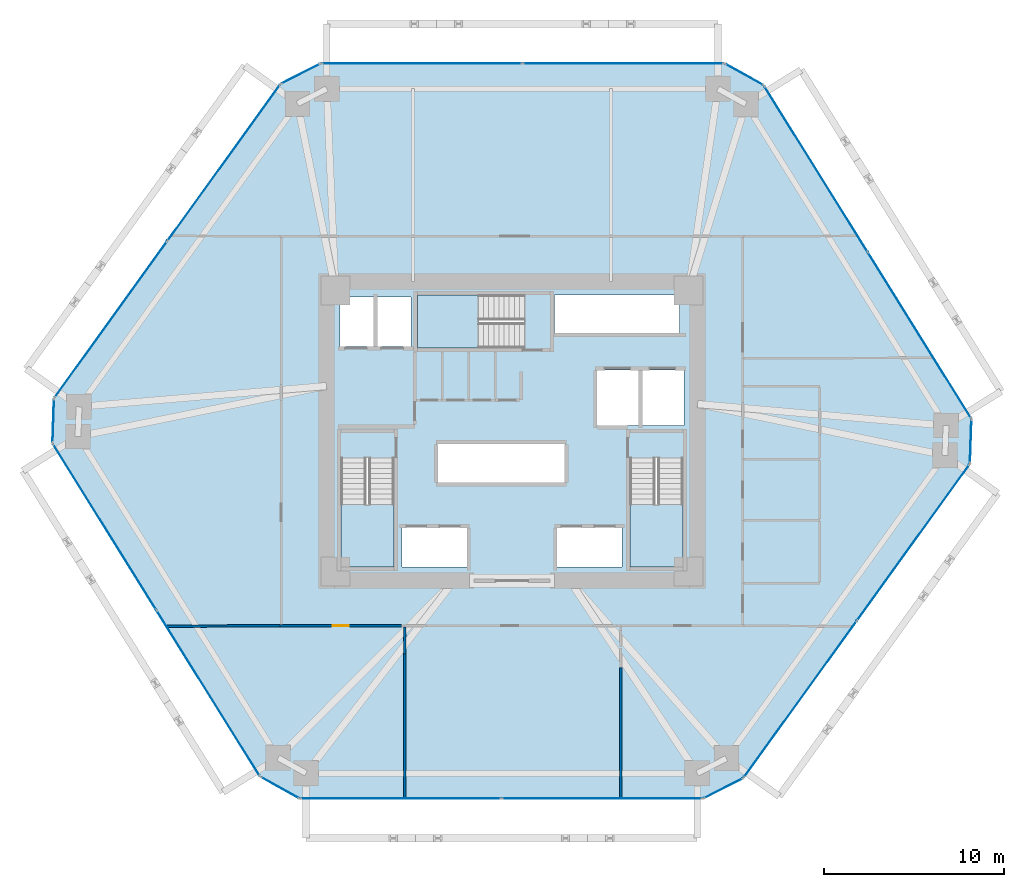
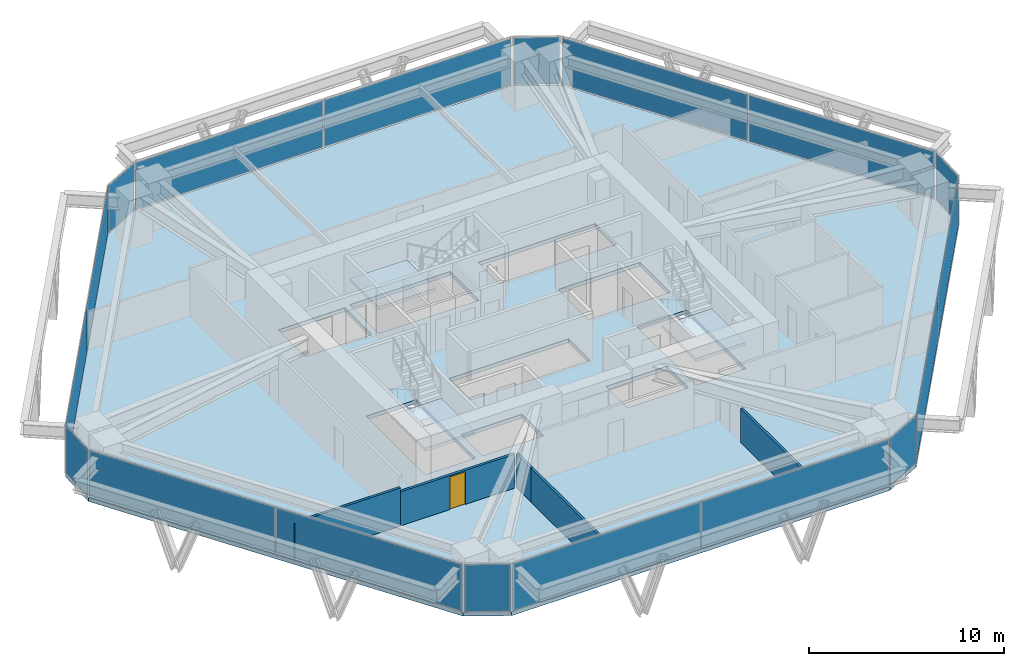
# One storey, part 10 of 14: 18 plates, 5 walls, 4 slabs, 1 door, 1 opening, 15 elements without a shape of their own.
"""IFC4 building model written with IfcOpenShell, lengths in metres."""

import ifcopenshell
import ifcopenshell.guid

model = None  # the IFC model being written
_history = None  # IfcOwnerHistory: only IFC2X3 demands one
_inside = {}  # id of a spatial element -> (the spatial element, [elements in it])
_under = {}  # id of a project, library or spatial element -> (it, [spatial elements below it])
_declared = {}  # id of a project -> (the project, [libraries it declares])
_typed = {}  # id of a type object -> (the type object, [elements of that type])
_made_of = {}  # id of a material, layer set ... -> (it, [elements and type objects made of it])


def new_model(schema):
    """Start an empty IFC model of exactly this schema.

    Asked for "IFC4X3", IfcOpenShell would pick the latest addendum, in which some entities
    have other attributes; the version numbers below select the first issue.
    IFC2X3 requires an IfcOwnerHistory on every rooted entity: one is made here for all.
    """
    global model, _history
    if schema == "IFC4X3":
        model = ifcopenshell.file(schema_version=(4, 3, 0, 0))
    else:
        model = ifcopenshell.file(schema=schema)
    _inside.clear()
    _under.clear()
    _declared.clear()
    _typed.clear()
    _made_of.clear()
    _history = None
    if model.schema == "IFC2X3":
        org = make("IfcOrganization", Name="unknown")
        user = make(
            "IfcPersonAndOrganization",
            ThePerson=make("IfcPerson", FamilyName="unknown"),
            TheOrganization=org,
        )
        app = make(
            "IfcApplication",
            ApplicationDeveloper=org,
            Version="unknown",
            ApplicationFullName="unknown",
            ApplicationIdentifier="unknown",
        )
        _history = make(
            "IfcOwnerHistory",
            OwningUser=user,
            OwningApplication=app,
            ChangeAction="ADDED",
            CreationDate=0,
        )
    return model


def make(cls, **values):
    """One entity of the class cls with the attributes given. An attribute that is None is left unset."""
    return model.create_entity(
        cls, **{name: value for name, value in values.items() if value is not None}
    )


def rooted(cls, **values):
    """An entity with a GlobalId (a new one), such as an element, a storey or a relation."""
    return make(cls, GlobalId=ifcopenshell.guid.new(), OwnerHistory=_history, **values)


def si_unit(unit_type, name, prefix=None):
    """IfcSIUnit, for example si_unit("LENGTHUNIT", "METRE", prefix="MILLI")."""
    return make("IfcSIUnit", UnitType=unit_type, Prefix=prefix, Name=name)


def assignment(units):
    """IfcUnitAssignment: the units of a project."""
    return None if units is None else make("IfcUnitAssignment", Units=units)


def point(xyz):
    """IfcCartesianPoint."""
    return None if xyz is None else make("IfcCartesianPoint", Coordinates=xyz)


def direction(xyz):
    """IfcDirection."""
    return None if xyz is None else make("IfcDirection", DirectionRatios=xyz)


def frame(location, z_axis=None, x_axis=None):
    """IfcAxis2Placement3D, a coordinate frame: its origin and axes. An axis left out is left unset."""
    return make(
        "IfcAxis2Placement3D",
        Location=point(location),
        Axis=direction(z_axis),
        RefDirection=direction(x_axis),
    )


def frame_2d(location, x_axis=None):
    """IfcAxis2Placement2D, a coordinate frame in the plane: its origin and x axis."""
    return make(
        "IfcAxis2Placement2D", Location=point(location), RefDirection=direction(x_axis)
    )


def origin():
    """The frame at (0, 0, 0) with its axes left unset."""
    return frame((0.0, 0.0, 0.0))


def origin_2d():
    """The frame at (0, 0) in the plane with its x axis left unset."""
    return frame_2d((0.0, 0.0))


def place(relative_to, where):
    """IfcLocalPlacement: puts the frame where relative to a parent placement (None: the world)."""
    return make(
        "IfcLocalPlacement", PlacementRelTo=relative_to, RelativePlacement=where
    )


def context(
    kind, dimensions, precision=None, world=None, true_north=None, identifier=None
):
    """IfcGeometricRepresentationContext, for example the 3D "Model" context."""
    return make(
        "IfcGeometricRepresentationContext",
        ContextIdentifier=identifier,
        ContextType=kind,
        CoordinateSpaceDimension=dimensions,
        Precision=precision,
        WorldCoordinateSystem=world,
        TrueNorth=true_north,
    )


def subcontext(parent, identifier, kind, view, scale=None):
    """IfcGeometricRepresentationSubContext, for example "Body" below "Model"."""
    return make(
        "IfcGeometricRepresentationSubContext",
        ContextIdentifier=identifier,
        ContextType=kind,
        ParentContext=parent,
        TargetScale=scale,
        TargetView=view,
    )


def project(units=None, contexts=None):
    """IfcProject with its units and contexts."""
    return rooted(
        "IfcProject",
        Name="project",
        RepresentationContexts=contexts,
        UnitsInContext=assignment(units),
    )


def spatial(cls, under=None, at=None, **own):
    """A site, building, storey or space (cls), placed at a placement, below another one or the project."""
    s = rooted(cls, ObjectPlacement=at, **own)
    if under is not None:
        _under.setdefault(under.id(), (under, []))[1].append(s)
    return s


def polyline(points):
    """IfcPolyline through the points."""
    return make("IfcPolyline", Points=[point(p) for p in points])


def profile(cls, at=None, kind="AREA", **sizes):
    """A parametric profile (cls). Its sizes go by their IFC names, for example OverallWidth=200.0."""
    return make(cls, ProfileType=kind, Position=at, **sizes)


def rectangle(**sizes):
    """IfcRectangleProfileDef."""
    return profile("IfcRectangleProfileDef", **sizes)


def outline(outer, holes=None, kind="AREA"):
    """IfcArbitraryClosedProfileDef: a profile drawn as a closed curve; with holes, ...WithVoids."""
    if holes is None:
        return make("IfcArbitraryClosedProfileDef", ProfileType=kind, OuterCurve=outer)
    return make(
        "IfcArbitraryProfileDefWithVoids",
        ProfileType=kind,
        OuterCurve=outer,
        InnerCurves=holes,
    )


def extrude(swept, where, along, depth):
    """IfcExtrudedAreaSolid: the profile swept, set in the frame where, extruded along a direction by depth."""
    return make(
        "IfcExtrudedAreaSolid",
        SweptArea=swept,
        Position=where,
        ExtrudedDirection=direction(along),
        Depth=depth,
    )


def shape(context_of_items, identifier, shape_type, items):
    """IfcShapeRepresentation: the items that make up one representation, for example the "Body"."""
    return make(
        "IfcShapeRepresentation",
        ContextOfItems=context_of_items,
        RepresentationIdentifier=identifier,
        RepresentationType=shape_type,
        Items=items,
    )


def source(mapping_origin, context_of_items, identifier, shape_type, items):
    """IfcRepresentationMap: a shape defined once, which mapped items show again and again."""
    return make(
        "IfcRepresentationMap",
        MappingOrigin=mapping_origin,
        MappedRepresentation=shape(context_of_items, identifier, shape_type, items),
    )


def transform(
    local_origin,
    x_axis=None,
    y_axis=None,
    z_axis=None,
    scale=None,
    scale2=None,
    scale3=None,
    uniform=True,
):
    """IfcCartesianTransformationOperator3D, or its non-uniform kind. x_axis, y_axis, z_axis: its Axis1, 2, 3."""
    if uniform:
        return make(
            "IfcCartesianTransformationOperator3D",
            Axis1=direction(x_axis),
            Axis2=direction(y_axis),
            LocalOrigin=point(local_origin),
            Scale=scale,
            Axis3=direction(z_axis),
        )
    return make(
        "IfcCartesianTransformationOperator3DnonUniform",
        Axis1=direction(x_axis),
        Axis2=direction(y_axis),
        LocalOrigin=point(local_origin),
        Scale=scale,
        Axis3=direction(z_axis),
        Scale2=scale2,
        Scale3=scale3,
    )


def mapped(mapping_source, mapping_target):
    """IfcMappedItem: shows the shape of a source again, moved by a transform."""
    return make(
        "IfcMappedItem", MappingSource=mapping_source, MappingTarget=mapping_target
    )


def material(Name=None, Category=None):
    """IfcMaterial."""
    return make("IfcMaterial", Name=Name, Category=Category)


def layer(
    of_material, thickness, ventilated=None, Name=None, Category=None, Priority=None
):
    """IfcMaterialLayer: one layer of a wall or slab, of a material (None: an air gap)."""
    return make(
        "IfcMaterialLayer",
        Material=of_material,
        LayerThickness=thickness,
        IsVentilated=ventilated,
        Name=Name,
        Category=Category,
        Priority=Priority,
    )


def layer_set(layers, Name=None):
    """IfcMaterialLayerSet."""
    return make("IfcMaterialLayerSet", MaterialLayers=layers, LayerSetName=Name)


def made_of(thing, what):
    """Note that an element or type object is made of a material, layer set ...; save() writes the relation."""
    if what is not None:
        _made_of.setdefault(what.id(), (what, []))[1].append(thing)
    return thing


def type_object(cls, material=None, **own):
    """A type object (cls), such as IfcWallType, which elements share."""
    return made_of(rooted(cls, **own), material)


def type_shapes(of_type, sources):
    """Give a type object the sources (RepresentationMaps) that its elements show as mapped items."""
    of_type.RepresentationMaps = sources


def element(
    cls,
    number,
    at=None,
    inside=None,
    cuts=None,
    type_object=None,
    material=None,
    context=None,
    identifier="Body",
    shape_type=None,
    held_by="IfcProductDefinitionShape",
    body=None,
    shapes=None,
    **own,
):
    """One element of the class cls, such as IfcWall. Its Tag is "e" and its number.

    at: its placement. inside: the storey or other place that contains it. cuts: it is an
    opening in that element (IfcRelVoidsElement). A single representation is given by context,
    identifier, shape_type and body (its items); several are given by shapes. held_by: the class
    of the entity that holds the representations. save() writes the other relations.
    """
    e = rooted(cls, Tag="e%d" % number, ObjectPlacement=at, **own)
    if body is not None:
        shapes = [shape(context, identifier, shape_type, body)]
    if shapes is not None:
        e.Representation = make(held_by, Representations=shapes)
    if inside is not None:
        _inside.setdefault(inside.id(), (inside, []))[1].append(e)
    if cuts is not None:
        rooted(
            "IfcRelVoidsElement", RelatingBuildingElement=cuts, RelatedOpeningElement=e
        )
    if type_object is not None:
        _typed.setdefault(type_object.id(), (type_object, []))[1].append(e)
    return made_of(e, material)


def fill(opening, filler):
    """IfcRelFillsElement: the door or window that sits in an opening."""
    return rooted(
        "IfcRelFillsElement",
        RelatingOpeningElement=opening,
        RelatedBuildingElement=filler,
    )


def aggregate(whole, parts):
    """IfcRelAggregates: a whole, such as a stair, and the parts it consists of."""
    return rooted("IfcRelAggregates", RelatingObject=whole, RelatedObjects=parts)


def save(model, path):
    """Write the relations noted so far, then the file.

    IfcRelAggregates (storeys below a building ...), IfcRelContainedInSpatialStructure (elements
    in a storey), IfcRelDefinesByType, IfcRelAssociatesMaterial and IfcRelDeclares: one each for
    every whole, place, type object, material and project.
    """
    for whole, parts in _under.values():
        aggregate(whole, parts)
    for where, things in _inside.values():
        rooted(
            "IfcRelContainedInSpatialStructure",
            RelatedElements=things,
            RelatingStructure=where,
        )
    for kind, things in _typed.values():
        rooted("IfcRelDefinesByType", RelatedObjects=things, RelatingType=kind)
    for what, things in _made_of.values():
        rooted("IfcRelAssociatesMaterial", RelatedObjects=things, RelatingMaterial=what)
    for by, libraries in _declared.values():
        rooted("IfcRelDeclares", RelatingContext=by, RelatedDefinitions=libraries)
    model.write(path)


model = new_model("IFC4")

# Units and contexts
model_context = context("Model", 3, precision=1e-05, world=origin(), true_north=direction((0.0, 1.0)))
body_context = subcontext(model_context, "Body", "Model", "MODEL_VIEW")
ifc_project = project(units=[si_unit("LENGTHUNIT", "METRE"), si_unit("AREAUNIT", "SQUARE_METRE"), si_unit("VOLUMEUNIT", "CUBIC_METRE"), si_unit("PLANEANGLEUNIT", "RADIAN"), si_unit("MASSUNIT", "GRAM", prefix="KILO")], contexts=[model_context])

# Site, building, storey
site_placement = place(None, origin())
site = spatial("IfcSite", under=ifc_project, at=site_placement, CompositionType="ELEMENT")
building_placement = place(site_placement, origin())
building = spatial("IfcBuilding", under=site, at=building_placement, Name="Durnholm Broadcast Tower", CompositionType="ELEMENT")
storey_placement = place(building_placement, frame((0.0, 0.0, 68.699951171875)))
storey = spatial("IfcBuildingStorey", under=building, at=storey_placement, Name="L17", CompositionType="ELEMENT", Elevation=68.699951171875)

# Slab
ifc_material_1 = material(Name="Concrete C50/60", Category="concrete")
ifc_layer_1 = layer(ifc_material_1, 0.239990234375)
ifc_layer_set_1 = layer_set([ifc_layer_1], Name="Concrete C50/60")
slab_type_1 = type_object("IfcSlabType", Name="SLAB-FLR-240", PredefinedType="FLOOR", material=ifc_layer_set_1)
slab_1_placement = place(storey_placement, frame((0.0, 0.0, -0.239990234375)))
element("IfcSlab", 1, at=slab_1_placement, inside=storey, type_object=slab_type_1, Name="L17 structural floor slab", PredefinedType="FLOOR", context=body_context, shape_type="SweptSolid", body=[
    extrude(outline(polyline([(-13.9794921875, -19.186279296875), (-11.793701171875, -20.39990234375), (10.6201171875, -20.39990234375), (12.845703125, -19.260986328125), (25.419921875, -1.820556640625), (25.50439453125, 0.677978515625), (13.9794921875, 19.186279296875), (11.793701171875, 20.39990234375), (-10.6201171875, 20.39990234375), (-12.845703125, 19.260986328125), (-25.419921875, 1.820556640625), (-25.50439453125, -0.677978515625), (-13.9794921875, -19.186279296875)]), holes=[polyline([(-2.5, -5.35009765625), (-6.10009765625, -5.35009765625), (-6.10009765625, -7.550048828125), (-2.5, -7.550048828125), (-2.5, -5.35009765625)]), polyline([(6.10009765625, -5.35009765625), (2.5, -5.35009765625), (2.5, -7.550048828125), (6.10009765625, -7.550048828125), (6.10009765625, -5.35009765625)]), polyline([(-6.5400390625, -7.550048828125), (-6.5400390625, -1.5), (-9.5, -1.5), (-9.5, -7.550048828125), (-6.5400390625, -7.550048828125)]), polyline([(9.5, -7.550048828125), (9.5, -1.5), (6.5400390625, -1.5), (6.5400390625, -7.550048828125), (9.5, -7.550048828125)]), polyline([(2.949951171875, -0.699951171875), (-4.14990234375, -0.699951171875), (-4.14990234375, -2.89990234375), (2.949951171875, -2.89990234375), (2.949951171875, -0.699951171875)]), polyline([(9.550048828125, 3.39990234375), (4.699951171875, 3.39990234375), (4.699951171875, 0.300048828125), (9.550048828125, 0.300048828125), (9.550048828125, 3.39990234375)]), polyline([(-5.60009765625, 7.449951171875), (-9.550048828125, 7.449951171875), (-9.550048828125, 4.699951171875), (-5.60009765625, 4.699951171875), (-5.60009765625, 7.449951171875)]), polyline([(-5.25, 7.56005859375), (-5.25, 4.60009765625), (0.699951171875, 4.60009765625), (0.699951171875, 7.56005859375), (-5.25, 7.56005859375)]), polyline([(9.31005859375, 5.39990234375), (9.31005859375, 7.550048828125), (2.35009765625, 7.550048828125), (2.35009765625, 5.39990234375), (9.31005859375, 5.39990234375)])]), origin(), (0.0, 0.0, 1.0), 0.239990234375),
])

# Stair, slab
stair_type = type_object("IfcStairType", Name="STAIR-DL-20R1650", PredefinedType="HALF_TURN_STAIR", material=ifc_material_1)
stair_1_placement = place(storey_placement, origin())
stair_1 = element("IfcStair", 2, at=stair_1_placement, inside=storey, type_object=stair_type, Name="L17 ST-1", PredefinedType="HALF_TURN_STAIR")
ifc_layer_2 = layer(ifc_material_1, 0.199951171875)
ifc_layer_set_2 = layer_set([ifc_layer_2], Name="Concrete C50/60")
slab_type_2 = type_object("IfcSlabType", Name="SLAB-LND-200", PredefinedType="LANDING", material=ifc_layer_set_2)
slab_2_placement = place(storey_placement, frame((0.0, 0.0, 1.449951171875)))
slab_2 = element("IfcSlab", 3, at=slab_2_placement, type_object=slab_type_2, Name="ST-1 landing 1", PredefinedType="LANDING", context=body_context, shape_type="SweptSolid", body=[
    extrude(outline(polyline([(-9.5, -4.06494140625), (-9.5, -7.550048828125), (-6.5400390625, -7.550048828125), (-6.5400390625, -4.06494140625), (-9.5, -4.06494140625)])), origin(), (0.0, 0.0, 1.0), 0.2001953125),
])
aggregate(stair_1, [slab_2])

stair_2_placement = place(storey_placement, origin())
stair_2 = element("IfcStair", 4, at=stair_2_placement, inside=storey, type_object=stair_type, Name="L17 ST-2", PredefinedType="HALF_TURN_STAIR")
slab_3_placement = place(storey_placement, frame((0.0, 0.0, 1.449951171875)))
slab_3 = element("IfcSlab", 5, at=slab_3_placement, type_object=slab_type_2, Name="ST-2 landing 1", PredefinedType="LANDING", context=body_context, shape_type="SweptSolid", body=[
    extrude(outline(polyline([(6.5400390625, -4.06494140625), (6.5400390625, -7.550048828125), (9.5, -7.550048828125), (9.5, -4.06494140625), (6.5400390625, -4.06494140625)])), origin(), (0.0, 0.0, 1.0), 0.2001953125),
])
aggregate(stair_2, [slab_3])

stair_3_placement = place(storey_placement, origin())
stair_3 = element("IfcStair", 6, at=stair_3_placement, inside=storey, type_object=stair_type, Name="L17 ST-3", PredefinedType="HALF_TURN_STAIR")
slab_4_placement = place(storey_placement, frame((0.0, 0.0, 1.449951171875)))
slab_4 = element("IfcSlab", 7, at=slab_4_placement, type_object=slab_type_2, Name="ST-3 landing 1", PredefinedType="LANDING", context=body_context, shape_type="SweptSolid", body=[
    extrude(outline(polyline([(-1.864990234375, 7.56005859375), (-5.25, 7.56005859375), (-5.25, 4.60009765625), (-1.864990234375, 4.60009765625), (-1.864990234375, 7.56005859375)])), origin(), (0.0, 0.0, 1.0), 0.2001953125),
])
aggregate(stair_3, [slab_4])

# Curtain wall, plate
ifc_material_2 = material(Name="Aluminium and Solar Control IGU", Category="aluminium")
ifc_layer_3 = layer(ifc_material_2, 0.1650390625)
ifc_layer_set_3 = layer_set([ifc_layer_3], Name="Aluminium and Solar Control IGU")
curtain_wall_type_1 = type_object("IfcCurtainWallType", Name="CW-SYS-5", PredefinedType="NOTDEFINED", material=ifc_layer_set_3)
curtain_wall_1_placement = place(storey_placement, origin())
curtain_wall_1 = element("IfcCurtainWall", 8, at=curtain_wall_1_placement, inside=storey, type_object=curtain_wall_type_1, Name="L17 curtain wall CW-CORNER CW-L17-CRN-01", PredefinedType="NOTDEFINED")
ifc_material_3 = material(Name="Low-E Laminated Insulating Glass", Category="glass")
ifc_layer_4 = layer(ifc_material_3, 0.030029296875)
ifc_layer_set_4 = layer_set([ifc_layer_4], Name="Low-E Laminated Insulating Glass")
plate_type_1 = type_object("IfcPlateType", Name="CW-SYS-5-PNL", PredefinedType="CURTAIN_PANEL", material=ifc_layer_set_4)
shared_shape_1 = source(origin(), body_context, "Body", "SweptSolid", [
    extrude(rectangle(XDim=2.3701171875, YDim=0.030029296875, at=origin_2d()), origin(), (0.0, 0.0, 1.0), 2.929931640625),
])
plate_1_placement = place(storey_placement, frame((-25.462158203125, 0.5712890625, 0.06494140625), z_axis=(0.0, 0.0, 1.0), x_axis=(0.033839569233, 0.999427277772, 0.0)))
plate_1 = element("IfcPlate", 9, at=plate_1_placement, type_object=plate_type_1, Name="CW-CORNER panel 1.1", PredefinedType="CURTAIN_PANEL", context=body_context, shape_type="MappedRepresentation", body=[
    mapped(shared_shape_1, transform((0.0, 0.0, 0.0), x_axis=(1.0, 0.0, 0.0), y_axis=(0.0, 1.0, 0.0), z_axis=(0.0, 0.0, 1.0), scale=1.0)),
])
aggregate(curtain_wall_1, [plate_1])

curtain_wall_2_placement = place(storey_placement, origin())
curtain_wall_2 = element("IfcCurtainWall", 10, at=curtain_wall_2_placement, inside=storey, type_object=curtain_wall_type_1, Name="L17 curtain wall CW-CORNER CW-L17-CRN-03", PredefinedType="NOTDEFINED")
plate_2_placement = place(storey_placement, frame((-11.73291015625, 19.83056640625, 0.06494140625), z_axis=(0.0, 0.0, 1.0), x_axis=(0.890187804512, 0.455593758406, 0.0)))
plate_2 = element("IfcPlate", 11, at=plate_2_placement, type_object=plate_type_1, Name="CW-CORNER panel 1.1", PredefinedType="CURTAIN_PANEL", context=body_context, shape_type="MappedRepresentation", body=[
    mapped(shared_shape_1, transform((0.0, 0.0, 0.0), x_axis=(1.0, 0.0, 0.0), y_axis=(0.0, 1.0, 0.0), z_axis=(0.0, 0.0, 1.0), scale=1.0)),
])
aggregate(curtain_wall_2, [plate_2])

curtain_wall_3_placement = place(storey_placement, origin())
curtain_wall_3 = element("IfcCurtainWall", 12, at=curtain_wall_3_placement, inside=storey, type_object=curtain_wall_type_1, Name="L17 curtain wall CW-CORNER CW-L17-CRN-07", PredefinedType="NOTDEFINED")
plate_3_placement = place(storey_placement, frame((25.462158203125, -0.5712890625, 0.06494140625), z_axis=(0.0, 0.0, 1.0), x_axis=(-0.033839569233, -0.999427277772, 0.0)))
plate_3 = element("IfcPlate", 13, at=plate_3_placement, type_object=plate_type_1, Name="CW-CORNER panel 1.1", PredefinedType="CURTAIN_PANEL", context=body_context, shape_type="MappedRepresentation", body=[
    mapped(shared_shape_1, transform((0.0, 0.0, 0.0), x_axis=(1.0, 0.0, 0.0), y_axis=(0.0, 1.0, 0.0), z_axis=(0.0, 0.0, 1.0), scale=1.0)),
])
aggregate(curtain_wall_3, [plate_3])

curtain_wall_4_placement = place(storey_placement, origin())
curtain_wall_4 = element("IfcCurtainWall", 14, at=curtain_wall_4_placement, inside=storey, type_object=curtain_wall_type_1, Name="L17 curtain wall CW-CORNER CW-L17-CRN-09", PredefinedType="NOTDEFINED")
plate_4_placement = place(storey_placement, frame((11.73291015625, -19.83056640625, 0.06494140625), z_axis=(0.0, 0.0, 1.0), x_axis=(-0.890187804512, -0.455593758406, 0.0)))
plate_4 = element("IfcPlate", 15, at=plate_4_placement, type_object=plate_type_1, Name="CW-CORNER panel 1.1", PredefinedType="CURTAIN_PANEL", context=body_context, shape_type="MappedRepresentation", body=[
    mapped(shared_shape_1, transform((0.0, 0.0, 0.0), x_axis=(1.0, 0.0, 0.0), y_axis=(0.0, 1.0, 0.0), z_axis=(0.0, 0.0, 1.0), scale=1.0)),
])
aggregate(curtain_wall_4, [plate_4])

# Curtain wall, plates
ifc_layer_5 = layer(ifc_material_2, 0.18994140625)
ifc_layer_set_5 = layer_set([ifc_layer_5], Name="Aluminium and Solar Control IGU")
curtain_wall_type_2 = type_object("IfcCurtainWallType", Name="CW-SYS-3", PredefinedType="NOTDEFINED", material=ifc_layer_set_5)
curtain_wall_5_placement = place(storey_placement, origin())
curtain_wall_5 = element("IfcCurtainWall", 16, at=curtain_wall_5_placement, inside=storey, type_object=curtain_wall_type_2, Name="L17 curtain wall CW-Z12-VIS CW-L17-F02", PredefinedType="NOTDEFINED")
ifc_layer_6 = layer(ifc_material_3, 0.031982421875)
ifc_layer_set_6 = layer_set([ifc_layer_6], Name="Low-E Laminated Insulating Glass")
plate_type_2 = type_object("IfcPlateType", Name="CW-SYS-3-PNL", PredefinedType="CURTAIN_PANEL", material=ifc_layer_set_6)
shared_shape_2 = source(origin(), body_context, "Body", "SweptSolid", [
    extrude(rectangle(XDim=10.645263671875, YDim=0.031982421875, at=origin_2d()), origin(), (0.0, 0.0, 1.0), 2.919921875),
])
plate_5_placement = place(storey_placement, frame((-22.26611328125, 6.19482421875, 0.070068359375), z_axis=(0.0, 0.0, 1.0), x_axis=(0.584823496176, 0.81116057493, 0.0)))
plate_5 = element("IfcPlate", 17, at=plate_5_placement, type_object=plate_type_2, Name="CW-Z12-VIS panel 1.1", PredefinedType="CURTAIN_PANEL", context=body_context, shape_type="MappedRepresentation", body=[
    mapped(shared_shape_2, transform((0.0, 0.0, 0.0), x_axis=(1.0, 0.0, 0.0), y_axis=(0.0, 1.0, 0.0), z_axis=(0.0, 0.0, 1.0), scale=1.0)),
])
plate_6_placement = place(storey_placement, frame((-15.99951171875, 14.88671875, 0.070068359375), z_axis=(0.0, 0.0, 1.0), x_axis=(0.584823496176, 0.81116057493, 0.0)))
plate_6 = element("IfcPlate", 18, at=plate_6_placement, type_object=plate_type_2, Name="CW-Z12-VIS panel 2.1", PredefinedType="CURTAIN_PANEL", context=body_context, shape_type="MappedRepresentation", body=[
    mapped(shared_shape_2, transform((0.0, 0.0, 0.0), x_axis=(1.0, 0.0, 0.0), y_axis=(0.0, 1.0, 0.0), z_axis=(0.0, 0.0, 1.0), scale=1.0)),
])
aggregate(curtain_wall_5, [plate_5, plate_6])

curtain_wall_6_placement = place(storey_placement, origin())
curtain_wall_6 = element("IfcCurtainWall", 19, at=curtain_wall_6_placement, inside=storey, type_object=curtain_wall_type_2, Name="L17 curtain wall CW-Z12-VIS CW-L17-F08", PredefinedType="NOTDEFINED")
plate_7_placement = place(storey_placement, frame((22.26611328125, -6.19482421875, 0.070068359375), z_axis=(0.0, 0.0, 1.0), x_axis=(-0.584823496176, -0.81116057493, 0.0)))
plate_7 = element("IfcPlate", 20, at=plate_7_placement, type_object=plate_type_2, Name="CW-Z12-VIS panel 1.1", PredefinedType="CURTAIN_PANEL", context=body_context, shape_type="MappedRepresentation", body=[
    mapped(shared_shape_2, transform((0.0, 0.0, 0.0), x_axis=(1.0, 0.0, 0.0), y_axis=(0.0, 1.0, 0.0), z_axis=(0.0, 0.0, 1.0), scale=1.0)),
])
plate_8_placement = place(storey_placement, frame((15.99951171875, -14.88671875, 0.070068359375), z_axis=(0.0, 0.0, 1.0), x_axis=(-0.584823496176, -0.81116057493, 0.0)))
plate_8 = element("IfcPlate", 21, at=plate_8_placement, type_object=plate_type_2, Name="CW-Z12-VIS panel 2.1", PredefinedType="CURTAIN_PANEL", context=body_context, shape_type="MappedRepresentation", body=[
    mapped(shared_shape_2, transform((0.0, 0.0, 0.0), x_axis=(1.0, 0.0, 0.0), y_axis=(0.0, 1.0, 0.0), z_axis=(0.0, 0.0, 1.0), scale=1.0)),
])
aggregate(curtain_wall_6, [plate_7, plate_8])

# Curtain wall, plate
curtain_wall_7_placement = place(storey_placement, origin())
curtain_wall_7 = element("IfcCurtainWall", 22, at=curtain_wall_7_placement, inside=storey, type_object=curtain_wall_type_1, Name="L17 curtain wall CW-CORNER CW-L17-CRN-05", PredefinedType="NOTDEFINED")
shared_shape_3 = source(origin(), body_context, "Body", "SweptSolid", [
    extrude(rectangle(XDim=2.369873046875, YDim=0.030029296875, at=origin_2d()), origin(), (0.0, 0.0, 1.0), 2.929931640625),
])
type_shapes(plate_type_1, [shared_shape_1, shared_shape_3])
plate_9_placement = place(storey_placement, frame((12.88671875, 19.793212890625, 0.06494140625), z_axis=(0.0, 0.0, 1.0), x_axis=(0.874245941394, -0.485483299359, 0.0)))
plate_9 = element("IfcPlate", 23, at=plate_9_placement, type_object=plate_type_1, Name="CW-CORNER panel 1.1", PredefinedType="CURTAIN_PANEL", context=body_context, shape_type="MappedRepresentation", body=[
    mapped(shared_shape_3, transform((0.0, 0.0, 0.0), x_axis=(1.0, 0.0, 0.0), y_axis=(0.0, 1.0, 0.0), z_axis=(0.0, 0.0, 1.0), scale=1.0)),
])
aggregate(curtain_wall_7, [plate_9])

curtain_wall_8_placement = place(storey_placement, origin())
curtain_wall_8 = element("IfcCurtainWall", 24, at=curtain_wall_8_placement, inside=storey, type_object=curtain_wall_type_1, Name="L17 curtain wall CW-CORNER CW-L17-CRN-11", PredefinedType="NOTDEFINED")
plate_10_placement = place(storey_placement, frame((-12.88671875, -19.793212890625, 0.06494140625), z_axis=(0.0, 0.0, 1.0), x_axis=(-0.874245941394, 0.485483299359, 0.0)))
plate_10 = element("IfcPlate", 25, at=plate_10_placement, type_object=plate_type_1, Name="CW-CORNER panel 1.1", PredefinedType="CURTAIN_PANEL", context=body_context, shape_type="MappedRepresentation", body=[
    mapped(shared_shape_3, transform((0.0, 0.0, 0.0), x_axis=(1.0, 0.0, 0.0), y_axis=(0.0, 1.0, 0.0), z_axis=(0.0, 0.0, 1.0), scale=1.0)),
])
aggregate(curtain_wall_8, [plate_10])

# Curtain wall, plates
curtain_wall_9_placement = place(storey_placement, origin())
curtain_wall_9 = element("IfcCurtainWall", 26, at=curtain_wall_9_placement, inside=storey, type_object=curtain_wall_type_2, Name="L17 curtain wall CW-Z12-VIS CW-L17-F06", PredefinedType="NOTDEFINED")
shared_shape_4 = source(origin(), body_context, "Body", "SweptSolid", [
    extrude(rectangle(XDim=10.796630859375, YDim=0.031982421875, at=origin_2d()), origin(), (0.0, 0.0, 1.0), 2.919921875),
])
plate_11_placement = place(storey_placement, frame((16.869873046875, 14.54443359375, 0.070068359375), z_axis=(0.0, 0.0, 1.0), x_axis=(0.528592376777, -0.848875785503, 0.0)))
plate_11 = element("IfcPlate", 27, at=plate_11_placement, type_object=plate_type_2, Name="CW-Z12-VIS panel 1.1", PredefinedType="CURTAIN_PANEL", context=body_context, shape_type="MappedRepresentation", body=[
    mapped(shared_shape_4, transform((0.0, 0.0, 0.0), x_axis=(1.0, 0.0, 0.0), y_axis=(0.0, 1.0, 0.0), z_axis=(0.0, 0.0, 1.0), scale=1.0)),
])
plate_12_placement = place(storey_placement, frame((22.614013671875, 5.320068359375, 0.070068359375), z_axis=(0.0, 0.0, 1.0), x_axis=(0.528592376777, -0.848875785503, 0.0)))
plate_12 = element("IfcPlate", 28, at=plate_12_placement, type_object=plate_type_2, Name="CW-Z12-VIS panel 2.1", PredefinedType="CURTAIN_PANEL", context=body_context, shape_type="MappedRepresentation", body=[
    mapped(shared_shape_4, transform((0.0, 0.0, 0.0), x_axis=(1.0, 0.0, 0.0), y_axis=(0.0, 1.0, 0.0), z_axis=(0.0, 0.0, 1.0), scale=1.0)),
])
aggregate(curtain_wall_9, [plate_11, plate_12])

curtain_wall_10_placement = place(storey_placement, origin())
curtain_wall_10 = element("IfcCurtainWall", 29, at=curtain_wall_10_placement, inside=storey, type_object=curtain_wall_type_2, Name="L17 curtain wall CW-Z12-VIS CW-L17-F12", PredefinedType="NOTDEFINED")
plate_13_placement = place(storey_placement, frame((-16.869873046875, -14.54443359375, 0.070068359375), z_axis=(0.0, 0.0, 1.0), x_axis=(-0.528592376777, 0.848875785503, 0.0)))
plate_13 = element("IfcPlate", 30, at=plate_13_placement, type_object=plate_type_2, Name="CW-Z12-VIS panel 1.1", PredefinedType="CURTAIN_PANEL", context=body_context, shape_type="MappedRepresentation", body=[
    mapped(shared_shape_4, transform((0.0, 0.0, 0.0), x_axis=(1.0, 0.0, 0.0), y_axis=(0.0, 1.0, 0.0), z_axis=(0.0, 0.0, 1.0), scale=1.0)),
])
plate_14_placement = place(storey_placement, frame((-22.614013671875, -5.320068359375, 0.070068359375), z_axis=(0.0, 0.0, 1.0), x_axis=(-0.528592376777, 0.848875785503, 0.0)))
plate_14 = element("IfcPlate", 31, at=plate_14_placement, type_object=plate_type_2, Name="CW-Z12-VIS panel 2.1", PredefinedType="CURTAIN_PANEL", context=body_context, shape_type="MappedRepresentation", body=[
    mapped(shared_shape_4, transform((0.0, 0.0, 0.0), x_axis=(1.0, 0.0, 0.0), y_axis=(0.0, 1.0, 0.0), z_axis=(0.0, 0.0, 1.0), scale=1.0)),
])
aggregate(curtain_wall_10, [plate_13, plate_14])

curtain_wall_11_placement = place(storey_placement, origin())
curtain_wall_11 = element("IfcCurtainWall", 32, at=curtain_wall_11_placement, inside=storey, type_object=curtain_wall_type_2, Name="L17 curtain wall CW-Z12-VIS CW-L17-F04", PredefinedType="NOTDEFINED")
shared_shape_5 = source(origin(), body_context, "Body", "SweptSolid", [
    extrude(rectangle(XDim=11.10205078125, YDim=0.031982421875, at=origin_2d()), origin(), (0.0, 0.0, 1.0), 2.919921875),
])
type_shapes(plate_type_2, [shared_shape_2, shared_shape_4, shared_shape_5])
plate_15_placement = place(storey_placement, frame((-4.999267578125, 20.39990234375, 0.070068359375), z_axis=(0.0, 0.0, 1.0), x_axis=(1.0, 0.0, 0.0)))
plate_15 = element("IfcPlate", 33, at=plate_15_placement, type_object=plate_type_2, Name="CW-Z12-VIS panel 1.1", PredefinedType="CURTAIN_PANEL", context=body_context, shape_type="MappedRepresentation", body=[
    mapped(shared_shape_5, transform((0.0, 0.0, 0.0), x_axis=(1.0, 0.0, 0.0), y_axis=(0.0, 1.0, 0.0), z_axis=(0.0, 0.0, 1.0), scale=1.0)),
])
plate_16_placement = place(storey_placement, frame((6.1728515625, 20.39990234375, 0.070068359375), z_axis=(0.0, 0.0, 1.0), x_axis=(1.0, 0.0, 0.0)))
plate_16 = element("IfcPlate", 34, at=plate_16_placement, type_object=plate_type_2, Name="CW-Z12-VIS panel 2.1", PredefinedType="CURTAIN_PANEL", context=body_context, shape_type="MappedRepresentation", body=[
    mapped(shared_shape_5, transform((0.0, 0.0, 0.0), x_axis=(1.0, 0.0, 0.0), y_axis=(0.0, 1.0, 0.0), z_axis=(0.0, 0.0, 1.0), scale=1.0)),
])
aggregate(curtain_wall_11, [plate_15, plate_16])

curtain_wall_12_placement = place(storey_placement, origin())
curtain_wall_12 = element("IfcCurtainWall", 35, at=curtain_wall_12_placement, inside=storey, type_object=curtain_wall_type_2, Name="L17 curtain wall CW-Z12-VIS CW-L17-F10", PredefinedType="NOTDEFINED")
plate_17_placement = place(storey_placement, frame((4.999267578125, -20.39990234375, 0.070068359375), z_axis=(0.0, 0.0, 1.0), x_axis=(-1.0, 0.0, 0.0)))
plate_17 = element("IfcPlate", 36, at=plate_17_placement, type_object=plate_type_2, Name="CW-Z12-VIS panel 1.1", PredefinedType="CURTAIN_PANEL", context=body_context, shape_type="MappedRepresentation", body=[
    mapped(shared_shape_5, transform((0.0, 0.0, 0.0), x_axis=(1.0, 0.0, 0.0), y_axis=(0.0, 1.0, 0.0), z_axis=(0.0, 0.0, 1.0), scale=1.0)),
])
plate_18_placement = place(storey_placement, frame((-6.1728515625, -20.39990234375, 0.070068359375), z_axis=(0.0, 0.0, 1.0), x_axis=(-1.0, 0.0, 0.0)))
plate_18 = element("IfcPlate", 37, at=plate_18_placement, type_object=plate_type_2, Name="CW-Z12-VIS panel 2.1", PredefinedType="CURTAIN_PANEL", context=body_context, shape_type="MappedRepresentation", body=[
    mapped(shared_shape_5, transform((0.0, 0.0, 0.0), x_axis=(1.0, 0.0, 0.0), y_axis=(0.0, 1.0, 0.0), z_axis=(0.0, 0.0, 1.0), scale=1.0)),
])
aggregate(curtain_wall_12, [plate_17, plate_18])

# Walls
ifc_material_4 = material(Name="Gypsum Metal Stud Partition", Category="concrete")
ifc_layer_7 = layer(ifc_material_4, 0.135009765625)
ifc_layer_set_7 = layer_set([ifc_layer_7], Name="Gypsum Metal Stud Partition")
wall_type_1 = type_object("IfcWallType", Name="WALL-PART-135", PredefinedType="PARTITIONING", material=ifc_layer_set_7)
wall_1_placement = place(storey_placement, frame((-5.9599609375, -12.383056640625, 0.0), z_axis=(0.0, 0.0, 1.0), x_axis=(0.0, -1.0, 0.0)))
element("IfcWall", 38, at=wall_1_placement, inside=storey, type_object=wall_type_1, Name="L17 room dividing partition 9.10", PredefinedType="PARTITIONING", context=body_context, shape_type="SweptSolid", body=[
    extrude(rectangle(XDim=8.016845703125, YDim=0.135009765625, at=frame_2d((4.00830078125, 0.0))), origin(), (0.0, 0.0, 1.0), 2.130126953125),
])
wall_2_placement = place(storey_placement, frame((-5.9599609375, -10.888916015625, 0.0), z_axis=(0.0, 0.0, 1.0), x_axis=(0.0, -1.0, 0.0)))
element("IfcWall", 39, at=wall_2_placement, inside=storey, type_object=wall_type_1, Name="L17 room dividing partition 9.10", PredefinedType="PARTITIONING", context=body_context, shape_type="SweptSolid", body=[
    extrude(rectangle(XDim=1.494140625, YDim=0.135009765625, at=frame_2d((0.7470703125, 0.0))), origin(), (0.0, 0.0, 1.0), 2.130126953125),
])
wall_3_placement = place(storey_placement, frame((-19.18212890625, -10.831298828125, 0.0), z_axis=(0.0, 0.0, 1.0), x_axis=(0.999994432845, 0.003336806783, 0.0)))
element("IfcWall", 40, at=wall_3_placement, inside=storey, type_object=wall_type_1, Name="L17 room dividing partition 9.12", PredefinedType="PARTITIONING", context=body_context, shape_type="SweptSolid", body=[
    extrude(rectangle(XDim=6.292236328125, YDim=0.135009765625, at=frame_2d((3.14599609375, 0.0))), origin(), (0.0, 0.0, 1.0), 2.380126953125),
])
wall_4_placement = place(storey_placement, frame((6.0400390625, -13.137451171875, 0.0), z_axis=(0.0, 0.0, 1.0), x_axis=(0.0, -1.0, 0.0)))
element("IfcWall", 41, at=wall_4_placement, inside=storey, type_object=wall_type_1, Name="L17 room dividing partition 10.11", PredefinedType="PARTITIONING", context=body_context, shape_type="SweptSolid", body=[
    extrude(rectangle(XDim=7.262451171875, YDim=0.135009765625, at=frame_2d((3.63134765625, 0.0))), origin(), (0.0, 0.0, 1.0), 2.130126953125),
])

# Wall, opening, door
ifc_material_5 = material(Name="Acoustic Gypsum Stud Partition", Category="concrete")
ifc_layer_8 = layer(ifc_material_5, 0.14990234375)
ifc_layer_set_8 = layer_set([ifc_layer_8], Name="Acoustic Gypsum Stud Partition")
wall_type_2 = type_object("IfcWallType", Name="WALL-PART-150", PredefinedType="PARTITIONING", material=ifc_layer_set_8)
wall_5_placement = place(storey_placement, frame((-12.889892578125, -10.81005859375, 0.0), z_axis=(0.0, 0.0, 1.0), x_axis=(1.0, 0.0, 0.0)))
wall_5 = element("IfcWall", 42, at=wall_5_placement, inside=storey, type_object=wall_type_2, Name="L17 Open Plan Broadcast Workspace 3 corridor partition", PredefinedType="PARTITIONING", context=body_context, shape_type="SweptSolid", body=[
    extrude(rectangle(XDim=6.768310546875, YDim=0.14990234375, at=frame_2d((3.38427734375, 0.0))), origin(), (0.0, 0.0, 1.0), 2.130126953125),
])
opening_placement = place(wall_5_placement, frame((2.93408203125, 0.0, 0.0)))
opening = element("IfcOpeningElement", 43, at=opening_placement, cuts=wall_5, Name="Opening DW-90R", PredefinedType="OPENING", context=body_context, shape_type="SweptSolid", body=[
    extrude(rectangle(XDim=0.89990234375, YDim=2.050048828125, at=frame_2d((0.449951171875, 1.02490234375))), frame((0.0, 0.0849609375, 0.0), z_axis=(0.0, -1.0, 0.0), x_axis=(1.0, 0.0, 0.0)), (0.0, 0.0, 1.0), 0.169921875),
])
ifc_material_6 = material(Name="Laminate Restroom Door", Category="steel")
ifc_layer_9 = layer(ifc_material_6, 0.050048828125)
ifc_layer_set_9 = layer_set([ifc_layer_9], Name="Laminate Restroom Door")
door_type = type_object("IfcDoorType", Name="DOOR-WC-900R", OperationType="NOTDEFINED", PredefinedType="DOOR", material=ifc_layer_set_9)
shared_shape_6 = source(origin(), body_context, "Body", "SweptSolid", [
    extrude(rectangle(XDim=0.89990234375, YDim=2.050048828125, at=frame_2d((0.449951171875, 1.02490234375))), frame((0.0, 0.02490234375, 0.0), z_axis=(0.0, -1.0, 0.0), x_axis=(1.0, 0.0, 0.0)), (0.0, 0.0, 1.0), 0.050048828125),
])
type_shapes(door_type, [shared_shape_6])
door_placement = place(opening_placement, origin())
door = element("IfcDoor", 44, at=door_placement, inside=storey, type_object=door_type, Name="L17 Open Plan Broadcast Workspace 3 entrance door", OperationType="SINGLE_SWING_RIGHT", OverallHeight=2.050048828125, OverallWidth=0.89990234375, PredefinedType="DOOR", context=body_context, shape_type="MappedRepresentation", body=[
    mapped(shared_shape_6, transform((0.0, 0.0, 0.0), x_axis=(1.0, 0.0, 0.0), y_axis=(0.0, 1.0, 0.0), z_axis=(0.0, 0.0, 1.0), scale=1.0)),
])
fill(opening, door)

save(model, "model.ifc")
